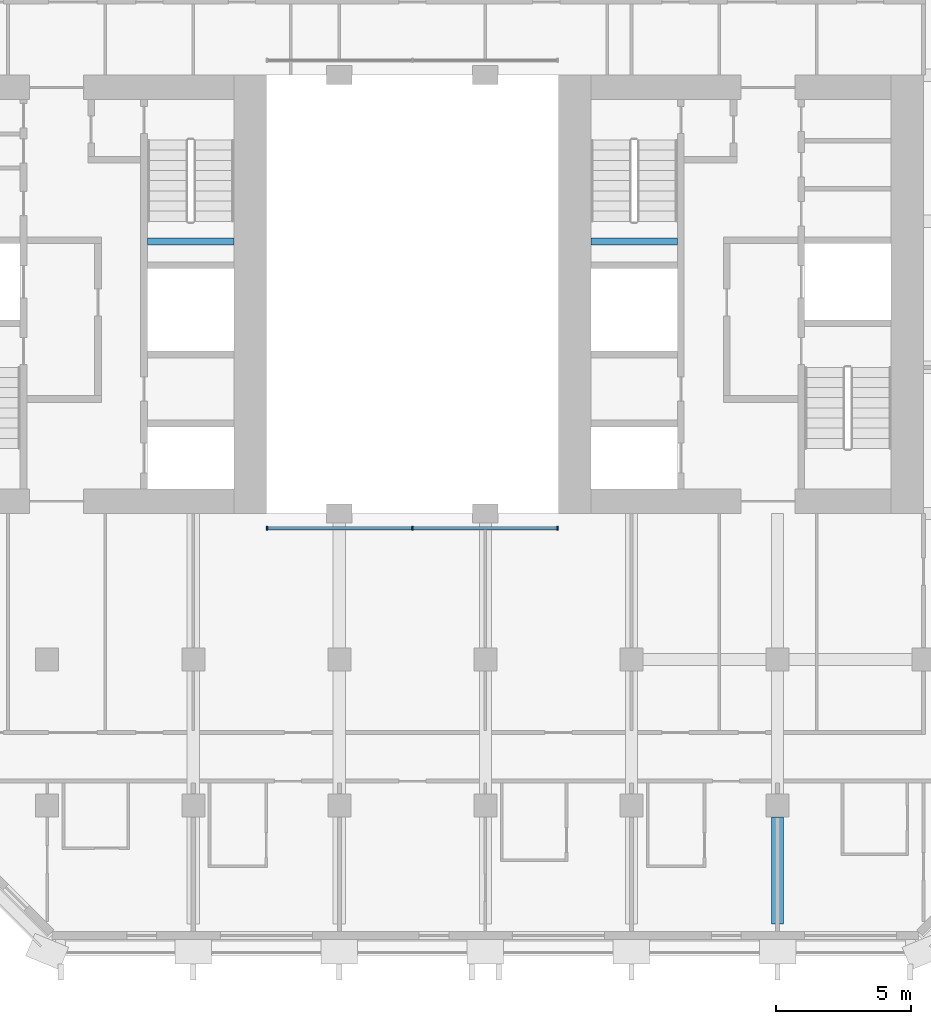
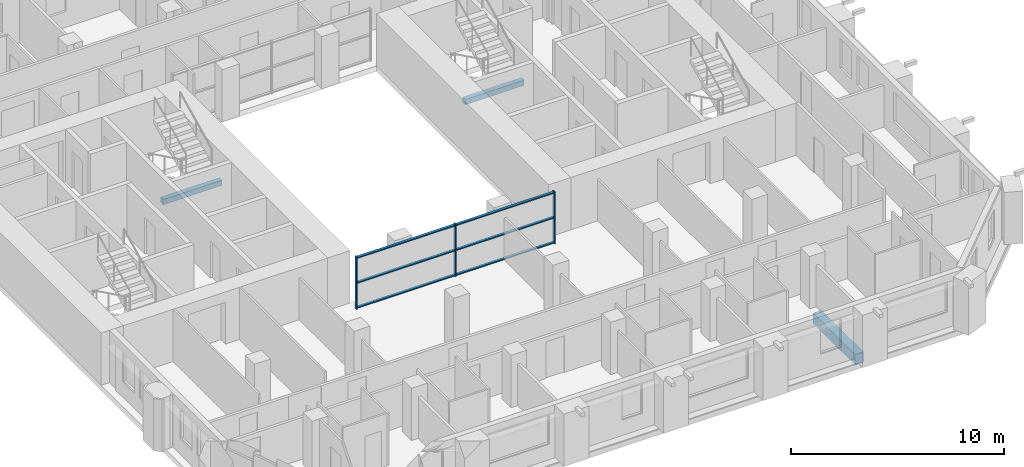
# One storey, part 2 of 13: 9 members, 3 beams, 1 element without a shape of its own.
"""IFC4 building model written with IfcOpenShell, lengths in metres."""

import ifcopenshell
import ifcopenshell.guid

model = None  # the IFC model being written
_history = None  # IfcOwnerHistory: only IFC2X3 demands one
_inside = {}  # id of a spatial element -> (the spatial element, [elements in it])
_under = {}  # id of a project, library or spatial element -> (it, [spatial elements below it])
_declared = {}  # id of a project -> (the project, [libraries it declares])
_typed = {}  # id of a type object -> (the type object, [elements of that type])
_made_of = {}  # id of a material, layer set ... -> (it, [elements and type objects made of it])


def new_model(schema):
    """Start an empty IFC model of exactly this schema.

    Asked for "IFC4X3", IfcOpenShell would pick the latest addendum, in which some entities
    have other attributes; the version numbers below select the first issue.
    IFC2X3 requires an IfcOwnerHistory on every rooted entity: one is made here for all.
    """
    global model, _history
    if schema == "IFC4X3":
        model = ifcopenshell.file(schema_version=(4, 3, 0, 0))
    else:
        model = ifcopenshell.file(schema=schema)
    _inside.clear()
    _under.clear()
    _declared.clear()
    _typed.clear()
    _made_of.clear()
    _history = None
    if model.schema == "IFC2X3":
        org = make("IfcOrganization", Name="unknown")
        user = make(
            "IfcPersonAndOrganization",
            ThePerson=make("IfcPerson", FamilyName="unknown"),
            TheOrganization=org,
        )
        app = make(
            "IfcApplication",
            ApplicationDeveloper=org,
            Version="unknown",
            ApplicationFullName="unknown",
            ApplicationIdentifier="unknown",
        )
        _history = make(
            "IfcOwnerHistory",
            OwningUser=user,
            OwningApplication=app,
            ChangeAction="ADDED",
            CreationDate=0,
        )
    return model


def make(cls, **values):
    """One entity of the class cls with the attributes given. An attribute that is None is left unset."""
    return model.create_entity(
        cls, **{name: value for name, value in values.items() if value is not None}
    )


def rooted(cls, **values):
    """An entity with a GlobalId (a new one), such as an element, a storey or a relation."""
    return make(cls, GlobalId=ifcopenshell.guid.new(), OwnerHistory=_history, **values)


def si_unit(unit_type, name, prefix=None):
    """IfcSIUnit, for example si_unit("LENGTHUNIT", "METRE", prefix="MILLI")."""
    return make("IfcSIUnit", UnitType=unit_type, Prefix=prefix, Name=name)


def assignment(units):
    """IfcUnitAssignment: the units of a project."""
    return None if units is None else make("IfcUnitAssignment", Units=units)


def point(xyz):
    """IfcCartesianPoint."""
    return None if xyz is None else make("IfcCartesianPoint", Coordinates=xyz)


def direction(xyz):
    """IfcDirection."""
    return None if xyz is None else make("IfcDirection", DirectionRatios=xyz)


def frame(location, z_axis=None, x_axis=None):
    """IfcAxis2Placement3D, a coordinate frame: its origin and axes. An axis left out is left unset."""
    return make(
        "IfcAxis2Placement3D",
        Location=point(location),
        Axis=direction(z_axis),
        RefDirection=direction(x_axis),
    )


def frame_2d(location, x_axis=None):
    """IfcAxis2Placement2D, a coordinate frame in the plane: its origin and x axis."""
    return make(
        "IfcAxis2Placement2D", Location=point(location), RefDirection=direction(x_axis)
    )


def origin():
    """The frame at (0, 0, 0) with its axes left unset."""
    return frame((0.0, 0.0, 0.0))


def origin_2d():
    """The frame at (0, 0) in the plane with its x axis left unset."""
    return frame_2d((0.0, 0.0))


def place(relative_to, where):
    """IfcLocalPlacement: puts the frame where relative to a parent placement (None: the world)."""
    return make(
        "IfcLocalPlacement", PlacementRelTo=relative_to, RelativePlacement=where
    )


def context(
    kind, dimensions, precision=None, world=None, true_north=None, identifier=None
):
    """IfcGeometricRepresentationContext, for example the 3D "Model" context."""
    return make(
        "IfcGeometricRepresentationContext",
        ContextIdentifier=identifier,
        ContextType=kind,
        CoordinateSpaceDimension=dimensions,
        Precision=precision,
        WorldCoordinateSystem=world,
        TrueNorth=true_north,
    )


def subcontext(parent, identifier, kind, view, scale=None):
    """IfcGeometricRepresentationSubContext, for example "Body" below "Model"."""
    return make(
        "IfcGeometricRepresentationSubContext",
        ContextIdentifier=identifier,
        ContextType=kind,
        ParentContext=parent,
        TargetScale=scale,
        TargetView=view,
    )


def project(units=None, contexts=None):
    """IfcProject with its units and contexts."""
    return rooted(
        "IfcProject",
        Name="project",
        RepresentationContexts=contexts,
        UnitsInContext=assignment(units),
    )


def spatial(cls, under=None, at=None, **own):
    """A site, building, storey or space (cls), placed at a placement, below another one or the project."""
    s = rooted(cls, ObjectPlacement=at, **own)
    if under is not None:
        _under.setdefault(under.id(), (under, []))[1].append(s)
    return s


def profile(cls, at=None, kind="AREA", **sizes):
    """A parametric profile (cls). Its sizes go by their IFC names, for example OverallWidth=200.0."""
    return make(cls, ProfileType=kind, Position=at, **sizes)


def rectangle(**sizes):
    """IfcRectangleProfileDef."""
    return profile("IfcRectangleProfileDef", **sizes)


def extrude(swept, where, along, depth):
    """IfcExtrudedAreaSolid: the profile swept, set in the frame where, extruded along a direction by depth."""
    return make(
        "IfcExtrudedAreaSolid",
        SweptArea=swept,
        Position=where,
        ExtrudedDirection=direction(along),
        Depth=depth,
    )


def shape(context_of_items, identifier, shape_type, items):
    """IfcShapeRepresentation: the items that make up one representation, for example the "Body"."""
    return make(
        "IfcShapeRepresentation",
        ContextOfItems=context_of_items,
        RepresentationIdentifier=identifier,
        RepresentationType=shape_type,
        Items=items,
    )


def material(Name=None, Category=None):
    """IfcMaterial."""
    return make("IfcMaterial", Name=Name, Category=Category)


def material_profile(
    of_material, cross_section, Name=None, Category=None, Priority=None
):
    """IfcMaterialProfile: a cross section and its material."""
    return make(
        "IfcMaterialProfile",
        Name=Name,
        Material=of_material,
        Profile=cross_section,
        Priority=Priority,
        Category=Category,
    )


def profile_set(profiles, Name=None, composite=None):
    """IfcMaterialProfileSet."""
    return make(
        "IfcMaterialProfileSet",
        Name=Name,
        MaterialProfiles=profiles,
        CompositeProfile=composite,
    )


def made_of(thing, what):
    """Note that an element or type object is made of a material, layer set ...; save() writes the relation."""
    if what is not None:
        _made_of.setdefault(what.id(), (what, []))[1].append(thing)
    return thing


def type_object(cls, material=None, **own):
    """A type object (cls), such as IfcWallType, which elements share."""
    return made_of(rooted(cls, **own), material)


def element(
    cls,
    number,
    at=None,
    inside=None,
    cuts=None,
    type_object=None,
    material=None,
    context=None,
    identifier="Body",
    shape_type=None,
    held_by="IfcProductDefinitionShape",
    body=None,
    shapes=None,
    **own,
):
    """One element of the class cls, such as IfcWall. Its Tag is "e" and its number.

    at: its placement. inside: the storey or other place that contains it. cuts: it is an
    opening in that element (IfcRelVoidsElement). A single representation is given by context,
    identifier, shape_type and body (its items); several are given by shapes. held_by: the class
    of the entity that holds the representations. save() writes the other relations.
    """
    e = rooted(cls, Tag="e%d" % number, ObjectPlacement=at, **own)
    if body is not None:
        shapes = [shape(context, identifier, shape_type, body)]
    if shapes is not None:
        e.Representation = make(held_by, Representations=shapes)
    if inside is not None:
        _inside.setdefault(inside.id(), (inside, []))[1].append(e)
    if cuts is not None:
        rooted(
            "IfcRelVoidsElement", RelatingBuildingElement=cuts, RelatedOpeningElement=e
        )
    if type_object is not None:
        _typed.setdefault(type_object.id(), (type_object, []))[1].append(e)
    return made_of(e, material)


def aggregate(whole, parts):
    """IfcRelAggregates: a whole, such as a stair, and the parts it consists of."""
    return rooted("IfcRelAggregates", RelatingObject=whole, RelatedObjects=parts)


def save(model, path):
    """Write the relations noted so far, then the file.

    IfcRelAggregates (storeys below a building ...), IfcRelContainedInSpatialStructure (elements
    in a storey), IfcRelDefinesByType, IfcRelAssociatesMaterial and IfcRelDeclares: one each for
    every whole, place, type object, material and project.
    """
    for whole, parts in _under.values():
        aggregate(whole, parts)
    for where, things in _inside.values():
        rooted(
            "IfcRelContainedInSpatialStructure",
            RelatedElements=things,
            RelatingStructure=where,
        )
    for kind, things in _typed.values():
        rooted("IfcRelDefinesByType", RelatedObjects=things, RelatingType=kind)
    for what, things in _made_of.values():
        rooted("IfcRelAssociatesMaterial", RelatedObjects=things, RelatingMaterial=what)
    for by, libraries in _declared.values():
        rooted("IfcRelDeclares", RelatingContext=by, RelatedDefinitions=libraries)
    model.write(path)


model = new_model("IFC4")

# Units and contexts
model_context = context("Model", 3, precision=1e-05, world=origin(), true_north=direction((0.0, 1.0)))
body_context = subcontext(model_context, "Body", "Model", "MODEL_VIEW")
ifc_project = project(units=[si_unit("LENGTHUNIT", "METRE"), si_unit("AREAUNIT", "SQUARE_METRE"), si_unit("VOLUMEUNIT", "CUBIC_METRE"), si_unit("PLANEANGLEUNIT", "RADIAN"), si_unit("MASSUNIT", "GRAM", prefix="KILO")], contexts=[model_context])

# Site, building, storey
site_placement = place(None, origin())
site = spatial("IfcSite", under=ifc_project, at=site_placement, CompositionType="ELEMENT")
building_placement = place(site_placement, origin())
building = spatial("IfcBuilding", under=site, at=building_placement, Name="Tabaq Tower and Sports Hall", CompositionType="ELEMENT")
storey_placement = place(building_placement, frame((0.0, 0.0, 162.699951171875)))
storey = spatial("IfcBuildingStorey", under=building, at=storey_placement, Name="L38", CompositionType="ELEMENT", Elevation=162.699951171875)

# Curtain wall, members
ifc_material_1 = material(Name="Aluminium alloy 6063-T6 framed glazing", Category="aluminium")
curtain_wall_type = type_object("IfcCurtainWallType", Name="CW1 curtain wall", PredefinedType="USERDEFINED", material=ifc_material_1)
curtain_wall_placement = place(storey_placement, origin())
curtain_wall = element("IfcCurtainWall", 1, at=curtain_wall_placement, inside=storey, type_object=curtain_wall_type, Name="Atrium glazing L38 S", ObjectType="ATRIUM ENCLOSURE", PredefinedType="USERDEFINED")
ifc_material_2 = material(Name="Aluminium alloy 6063-T6", Category="aluminium")
ifc_material_profile_1 = material_profile(ifc_material_2, rectangle(XDim=0.159912109375, YDim=0.06005859375, at=origin_2d()), Name="MULLION 160x60")
ifc_profile_set_1 = profile_set([ifc_material_profile_1], Name="Aluminium alloy 6063-T6")
member_type_1 = type_object("IfcMemberType", Name="CW1 mullion 160x60", PredefinedType="MULLION", material=ifc_profile_set_1)
member_1_placement = place(storey_placement, frame((18.929931640625, 15.64990234375, 0.0), z_axis=(0.0, 0.0, 1.0), x_axis=(0.0, 1.0, 0.0)))
member_1 = element("IfcMember", 2, at=member_1_placement, type_object=member_type_1, Name="CW1 mullion 1", PredefinedType="MULLION", context=body_context, shape_type="SweptSolid", body=[
    extrude(rectangle(XDim=0.159912109375, YDim=0.06005859375, at=origin_2d()), origin(), (0.0, 0.0, 1.0), 3.0),
])
member_2_placement = place(storey_placement, frame((24.300048828125, 15.64990234375, 0.0), z_axis=(0.0, 0.0, 1.0), x_axis=(0.0, 1.0, 0.0)))
member_2 = element("IfcMember", 3, at=member_2_placement, type_object=member_type_1, Name="CW1 mullion 2", PredefinedType="MULLION", context=body_context, shape_type="SweptSolid", body=[
    extrude(rectangle(XDim=0.159912109375, YDim=0.06005859375, at=origin_2d()), origin(), (0.0, 0.0, 1.0), 3.0),
])
member_3_placement = place(storey_placement, frame((29.669921875, 15.64990234375, 0.0), z_axis=(0.0, 0.0, 1.0), x_axis=(0.0, 1.0, 0.0)))
member_3 = element("IfcMember", 4, at=member_3_placement, type_object=member_type_1, Name="CW1 mullion 3", PredefinedType="MULLION", context=body_context, shape_type="SweptSolid", body=[
    extrude(rectangle(XDim=0.159912109375, YDim=0.06005859375, at=origin_2d()), origin(), (0.0, 0.0, 1.0), 3.0),
])
ifc_material_3 = material(Name="Aluminium alloy 6063-T6", Category="aluminium")
ifc_material_profile_2 = material_profile(ifc_material_3, rectangle(XDim=0.139892578125, YDim=0.06005859375, at=origin_2d()), Name="TRANSOM 140x60")
ifc_profile_set_2 = profile_set([ifc_material_profile_2], Name="Aluminium alloy 6063-T6")
member_type_2 = type_object("IfcMemberType", Name="CW1 transom 140x60", PredefinedType="USERDEFINED", material=ifc_profile_set_2)
member_4_placement = place(storey_placement, frame((18.9599609375, 15.64990234375, 0.070068359375), z_axis=(1.0, 0.0, 0.0), x_axis=(0.0, 1.0, 0.0)))
member_4 = element("IfcMember", 5, at=member_4_placement, type_object=member_type_2, Name="CW1 transom 1.1", ObjectType="TRANSOM", PredefinedType="USERDEFINED", context=body_context, shape_type="SweptSolid", body=[
    extrude(rectangle(XDim=0.139892578125, YDim=0.06005859375, at=origin_2d()), origin(), (0.0, 0.0, 1.0), 5.31005859375),
])
member_5_placement = place(storey_placement, frame((18.9599609375, 15.64990234375, 1.5), z_axis=(1.0, 0.0, 0.0), x_axis=(0.0, 1.0, 0.0)))
member_5 = element("IfcMember", 6, at=member_5_placement, type_object=member_type_2, Name="CW1 transom 1.2", ObjectType="TRANSOM", PredefinedType="USERDEFINED", context=body_context, shape_type="SweptSolid", body=[
    extrude(rectangle(XDim=0.139892578125, YDim=0.06005859375, at=origin_2d()), origin(), (0.0, 0.0, 1.0), 5.31005859375),
])
member_6_placement = place(storey_placement, frame((18.9599609375, 15.64990234375, 2.929931640625), z_axis=(1.0, 0.0, 0.0), x_axis=(0.0, 1.0, 0.0)))
member_6 = element("IfcMember", 7, at=member_6_placement, type_object=member_type_2, Name="CW1 transom 1.3", ObjectType="TRANSOM", PredefinedType="USERDEFINED", context=body_context, shape_type="SweptSolid", body=[
    extrude(rectangle(XDim=0.139892578125, YDim=0.06005859375, at=origin_2d()), origin(), (0.0, 0.0, 1.0), 5.31005859375),
])
member_7_placement = place(storey_placement, frame((24.330078125, 15.64990234375, 0.070068359375), z_axis=(1.0, 0.0, 0.0), x_axis=(0.0, 1.0, 0.0)))
member_7 = element("IfcMember", 8, at=member_7_placement, type_object=member_type_2, Name="CW1 transom 2.1", ObjectType="TRANSOM", PredefinedType="USERDEFINED", context=body_context, shape_type="SweptSolid", body=[
    extrude(rectangle(XDim=0.139892578125, YDim=0.06005859375, at=origin_2d()), origin(), (0.0, 0.0, 1.0), 5.309814453125),
])
member_8_placement = place(storey_placement, frame((24.330078125, 15.64990234375, 1.5), z_axis=(1.0, 0.0, 0.0), x_axis=(0.0, 1.0, 0.0)))
member_8 = element("IfcMember", 9, at=member_8_placement, type_object=member_type_2, Name="CW1 transom 2.2", ObjectType="TRANSOM", PredefinedType="USERDEFINED", context=body_context, shape_type="SweptSolid", body=[
    extrude(rectangle(XDim=0.139892578125, YDim=0.06005859375, at=origin_2d()), origin(), (0.0, 0.0, 1.0), 5.309814453125),
])
member_9_placement = place(storey_placement, frame((24.330078125, 15.64990234375, 2.929931640625), z_axis=(1.0, 0.0, 0.0), x_axis=(0.0, 1.0, 0.0)))
member_9 = element("IfcMember", 10, at=member_9_placement, type_object=member_type_2, Name="CW1 transom 2.3", ObjectType="TRANSOM", PredefinedType="USERDEFINED", context=body_context, shape_type="SweptSolid", body=[
    extrude(rectangle(XDim=0.139892578125, YDim=0.06005859375, at=origin_2d()), origin(), (0.0, 0.0, 1.0), 5.309814453125),
])
aggregate(curtain_wall, [member_1, member_2, member_3, member_4, member_5, member_6, member_7, member_8, member_9])

# Beams
ifc_material_4 = material(Name="Concrete C40/50", Category="concrete")
ifc_material_profile_3 = material_profile(ifc_material_4, rectangle(XDim=0.449951171875, YDim=0.60009765625, at=origin_2d()), Name="CB 450x600")
ifc_profile_set_3 = profile_set([ifc_material_profile_3], Name="Concrete C40/50")
beam_type_1 = type_object("IfcBeamType", Name="PT CANTILEVER BEAM CB 450x600 C40/50", PredefinedType="BEAM", material=ifc_profile_set_3)
beam_1_placement = place(storey_placement, frame((37.800048828125, 1.02490234375, -0.599853515625), z_axis=(0.0, 1.0, 0.0), x_axis=(-1.0, 0.0, 0.0)))
element("IfcBeam", 11, at=beam_1_placement, inside=storey, type_object=beam_type_1, Name="Cantilever Beam L38 S7 span 1", PredefinedType="BEAM", context=body_context, shape_type="SweptSolid", body=[
    extrude(rectangle(XDim=0.449951171875, YDim=0.60009765625, at=origin_2d()), origin(), (0.0, 0.0, 1.0), 3.9501953125),
])
ifc_material_5 = material(Name="Concrete C40/50", Category="concrete")
ifc_material_profile_4 = material_profile(ifc_material_5, rectangle(XDim=0.25, YDim=0.300048828125, at=origin_2d()), Name="RC 250x300")
ifc_profile_set_4 = profile_set([ifc_material_profile_4], Name="Concrete C40/50")
beam_type_2 = type_object("IfcBeamType", Name="Stair landing beam 250x300", PredefinedType="BEAM", material=ifc_profile_set_4)
beam_2_placement = place(storey_placement, frame((14.5, 26.25, 1.300048828125), z_axis=(1.0, 0.0, 0.0), x_axis=(0.0, 1.0, 0.0)))
element("IfcBeam", 12, at=beam_2_placement, inside=storey, type_object=beam_type_2, Name="L38 ST2 landing beam 1", PredefinedType="BEAM", context=body_context, shape_type="SweptSolid", body=[
    extrude(rectangle(XDim=0.25, YDim=0.300048828125, at=origin_2d()), origin(), (0.0, 0.0, 1.0), 3.199951171875),
])
beam_3_placement = place(storey_placement, frame((30.89990234375, 26.25, 1.300048828125), z_axis=(1.0, 0.0, 0.0), x_axis=(0.0, 1.0, 0.0)))
element("IfcBeam", 13, at=beam_3_placement, inside=storey, type_object=beam_type_2, Name="L38 ST4 landing beam 1", PredefinedType="BEAM", context=body_context, shape_type="SweptSolid", body=[
    extrude(rectangle(XDim=0.25, YDim=0.300048828125, at=origin_2d()), origin(), (0.0, 0.0, 1.0), 3.2001953125),
])

save(model, "model.ifc")
